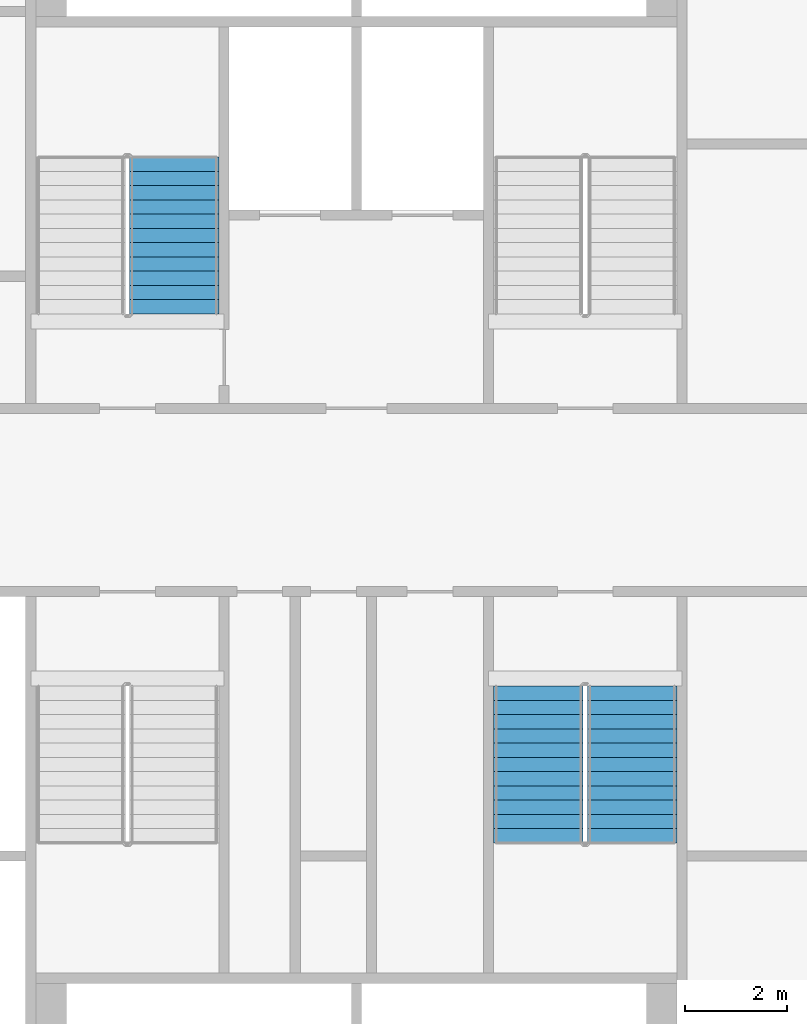
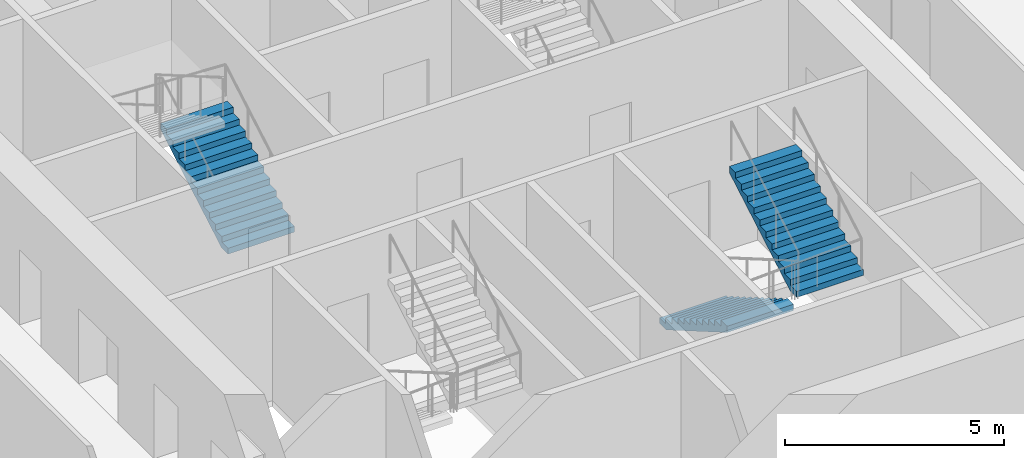
# One storey, part 16 of 23: 3 stair flights, 2 elements without a shape of their own.
"""IFC4 building model written with IfcOpenShell, lengths in metres."""

import ifcopenshell
import ifcopenshell.guid

model = None  # the IFC model being written
_history = None  # IfcOwnerHistory: only IFC2X3 demands one
_inside = {}  # id of a spatial element -> (the spatial element, [elements in it])
_under = {}  # id of a project, library or spatial element -> (it, [spatial elements below it])
_declared = {}  # id of a project -> (the project, [libraries it declares])
_typed = {}  # id of a type object -> (the type object, [elements of that type])
_made_of = {}  # id of a material, layer set ... -> (it, [elements and type objects made of it])


def new_model(schema):
    """Start an empty IFC model of exactly this schema.

    Asked for "IFC4X3", IfcOpenShell would pick the latest addendum, in which some entities
    have other attributes; the version numbers below select the first issue.
    IFC2X3 requires an IfcOwnerHistory on every rooted entity: one is made here for all.
    """
    global model, _history
    if schema == "IFC4X3":
        model = ifcopenshell.file(schema_version=(4, 3, 0, 0))
    else:
        model = ifcopenshell.file(schema=schema)
    _inside.clear()
    _under.clear()
    _declared.clear()
    _typed.clear()
    _made_of.clear()
    _history = None
    if model.schema == "IFC2X3":
        org = make("IfcOrganization", Name="unknown")
        user = make(
            "IfcPersonAndOrganization",
            ThePerson=make("IfcPerson", FamilyName="unknown"),
            TheOrganization=org,
        )
        app = make(
            "IfcApplication",
            ApplicationDeveloper=org,
            Version="unknown",
            ApplicationFullName="unknown",
            ApplicationIdentifier="unknown",
        )
        _history = make(
            "IfcOwnerHistory",
            OwningUser=user,
            OwningApplication=app,
            ChangeAction="ADDED",
            CreationDate=0,
        )
    return model


def make(cls, **values):
    """One entity of the class cls with the attributes given. An attribute that is None is left unset."""
    return model.create_entity(
        cls, **{name: value for name, value in values.items() if value is not None}
    )


def rooted(cls, **values):
    """An entity with a GlobalId (a new one), such as an element, a storey or a relation."""
    return make(cls, GlobalId=ifcopenshell.guid.new(), OwnerHistory=_history, **values)


def si_unit(unit_type, name, prefix=None):
    """IfcSIUnit, for example si_unit("LENGTHUNIT", "METRE", prefix="MILLI")."""
    return make("IfcSIUnit", UnitType=unit_type, Prefix=prefix, Name=name)


def assignment(units):
    """IfcUnitAssignment: the units of a project."""
    return None if units is None else make("IfcUnitAssignment", Units=units)


def point(xyz):
    """IfcCartesianPoint."""
    return None if xyz is None else make("IfcCartesianPoint", Coordinates=xyz)


def direction(xyz):
    """IfcDirection."""
    return None if xyz is None else make("IfcDirection", DirectionRatios=xyz)


def frame(location, z_axis=None, x_axis=None):
    """IfcAxis2Placement3D, a coordinate frame: its origin and axes. An axis left out is left unset."""
    return make(
        "IfcAxis2Placement3D",
        Location=point(location),
        Axis=direction(z_axis),
        RefDirection=direction(x_axis),
    )


def origin():
    """The frame at (0, 0, 0) with its axes left unset."""
    return frame((0.0, 0.0, 0.0))


def place(relative_to, where):
    """IfcLocalPlacement: puts the frame where relative to a parent placement (None: the world)."""
    return make(
        "IfcLocalPlacement", PlacementRelTo=relative_to, RelativePlacement=where
    )


def context(
    kind, dimensions, precision=None, world=None, true_north=None, identifier=None
):
    """IfcGeometricRepresentationContext, for example the 3D "Model" context."""
    return make(
        "IfcGeometricRepresentationContext",
        ContextIdentifier=identifier,
        ContextType=kind,
        CoordinateSpaceDimension=dimensions,
        Precision=precision,
        WorldCoordinateSystem=world,
        TrueNorth=true_north,
    )


def subcontext(parent, identifier, kind, view, scale=None):
    """IfcGeometricRepresentationSubContext, for example "Body" below "Model"."""
    return make(
        "IfcGeometricRepresentationSubContext",
        ContextIdentifier=identifier,
        ContextType=kind,
        ParentContext=parent,
        TargetScale=scale,
        TargetView=view,
    )


def project(units=None, contexts=None):
    """IfcProject with its units and contexts."""
    return rooted(
        "IfcProject",
        Name="project",
        RepresentationContexts=contexts,
        UnitsInContext=assignment(units),
    )


def spatial(cls, under=None, at=None, **own):
    """A site, building, storey or space (cls), placed at a placement, below another one or the project."""
    s = rooted(cls, ObjectPlacement=at, **own)
    if under is not None:
        _under.setdefault(under.id(), (under, []))[1].append(s)
    return s


def faces_of(points, faces, orient=None, outer=None):
    """IfcFace entities. A face is a list of loops; a loop is a list of indices into points, from 0.

    orient and outer hold one flag for each loop. By default every Orientation is true, the
    first loop of a face is its IfcFaceOuterBound and the others are IfcFaceBound.
    """
    made = []
    for i, loops in enumerate(faces):
        bounds = []
        for j, loop in enumerate(loops):
            is_outer = j == 0 if outer is None else outer[i][j]
            bounds.append(
                make(
                    "IfcFaceOuterBound" if is_outer else "IfcFaceBound",
                    Bound=make("IfcPolyLoop", Polygon=[points[k] for k in loop]),
                    Orientation=True if orient is None else orient[i][j],
                )
            )
        made.append(make("IfcFace", Bounds=bounds))
    return made


def faceted_brep(points, faces, orient=None, outer=None, voids=None):
    """IfcFacetedBrep: a solid bounded by flat faces; with voids (closed shells), ...WithVoids."""
    shared = [point(p) for p in points]
    hull = make("IfcClosedShell", CfsFaces=faces_of(shared, faces, orient, outer))
    if voids is None:
        return make("IfcFacetedBrep", Outer=hull)
    return make(
        "IfcFacetedBrepWithVoids",
        Outer=hull,
        Voids=[
            make(cls, CfsFaces=faces_of(shared, fs, o, b)) for cls, fs, o, b in voids
        ],
    )


def shape(context_of_items, identifier, shape_type, items):
    """IfcShapeRepresentation: the items that make up one representation, for example the "Body"."""
    return make(
        "IfcShapeRepresentation",
        ContextOfItems=context_of_items,
        RepresentationIdentifier=identifier,
        RepresentationType=shape_type,
        Items=items,
    )


def material(Name=None, Category=None):
    """IfcMaterial."""
    return make("IfcMaterial", Name=Name, Category=Category)


def made_of(thing, what):
    """Note that an element or type object is made of a material, layer set ...; save() writes the relation."""
    if what is not None:
        _made_of.setdefault(what.id(), (what, []))[1].append(thing)
    return thing


def type_object(cls, material=None, **own):
    """A type object (cls), such as IfcWallType, which elements share."""
    return made_of(rooted(cls, **own), material)


def element(
    cls,
    number,
    at=None,
    inside=None,
    cuts=None,
    type_object=None,
    material=None,
    context=None,
    identifier="Body",
    shape_type=None,
    held_by="IfcProductDefinitionShape",
    body=None,
    shapes=None,
    **own,
):
    """One element of the class cls, such as IfcWall. Its Tag is "e" and its number.

    at: its placement. inside: the storey or other place that contains it. cuts: it is an
    opening in that element (IfcRelVoidsElement). A single representation is given by context,
    identifier, shape_type and body (its items); several are given by shapes. held_by: the class
    of the entity that holds the representations. save() writes the other relations.
    """
    e = rooted(cls, Tag="e%d" % number, ObjectPlacement=at, **own)
    if body is not None:
        shapes = [shape(context, identifier, shape_type, body)]
    if shapes is not None:
        e.Representation = make(held_by, Representations=shapes)
    if inside is not None:
        _inside.setdefault(inside.id(), (inside, []))[1].append(e)
    if cuts is not None:
        rooted(
            "IfcRelVoidsElement", RelatingBuildingElement=cuts, RelatedOpeningElement=e
        )
    if type_object is not None:
        _typed.setdefault(type_object.id(), (type_object, []))[1].append(e)
    return made_of(e, material)


def aggregate(whole, parts):
    """IfcRelAggregates: a whole, such as a stair, and the parts it consists of."""
    return rooted("IfcRelAggregates", RelatingObject=whole, RelatedObjects=parts)


def save(model, path):
    """Write the relations noted so far, then the file.

    IfcRelAggregates (storeys below a building ...), IfcRelContainedInSpatialStructure (elements
    in a storey), IfcRelDefinesByType, IfcRelAssociatesMaterial and IfcRelDeclares: one each for
    every whole, place, type object, material and project.
    """
    for whole, parts in _under.values():
        aggregate(whole, parts)
    for where, things in _inside.values():
        rooted(
            "IfcRelContainedInSpatialStructure",
            RelatedElements=things,
            RelatingStructure=where,
        )
    for kind, things in _typed.values():
        rooted("IfcRelDefinesByType", RelatedObjects=things, RelatingType=kind)
    for what, things in _made_of.values():
        rooted("IfcRelAssociatesMaterial", RelatedObjects=things, RelatingMaterial=what)
    for by, libraries in _declared.values():
        rooted("IfcRelDeclares", RelatingContext=by, RelatedDefinitions=libraries)
    model.write(path)


model = new_model("IFC4")

# Units and contexts
model_context = context("Model", 3, precision=1e-05, world=origin(), true_north=direction((0.0, 1.0)))
body_context = subcontext(model_context, "Body", "Model", "MODEL_VIEW")
ifc_project = project(units=[si_unit("LENGTHUNIT", "METRE"), si_unit("AREAUNIT", "SQUARE_METRE"), si_unit("VOLUMEUNIT", "CUBIC_METRE"), si_unit("PLANEANGLEUNIT", "RADIAN"), si_unit("MASSUNIT", "GRAM", prefix="KILO")], contexts=[model_context])

# Site, building, storey
site_placement = place(None, origin())
site = spatial("IfcSite", under=ifc_project, at=site_placement, CompositionType="ELEMENT")
building_placement = place(site_placement, origin())
building = spatial("IfcBuilding", under=site, at=building_placement, Name="Tarsis Ring Headquarters", CompositionType="ELEMENT")
storey_placement = place(building_placement, frame((0.0, 0.0, 131.800048828125)))
storey = spatial("IfcBuildingStorey", under=building, at=storey_placement, Name="L30", CompositionType="ELEMENT", Elevation=131.800048828125)

# Stair, stair flight
ifc_material_1 = material(Name="Core stair 1760")
stair_type = type_object("IfcStairType", Name="Core stair 1760", PredefinedType="HALF_TURN_STAIR", material=ifc_material_1)
stair_1_placement = place(storey_placement, origin())
stair_1 = element("IfcStair", 1, at=stair_1_placement, inside=storey, type_object=stair_type, Name="L30 Firefighting stair", PredefinedType="HALF_TURN_STAIR")
ifc_material_2 = material(Name="Concrete C40/50", Category="concrete")
stair_flight_type = type_object("IfcStairFlightType", Name="Core stair flight 1760", PredefinedType="STRAIGHT", material=ifc_material_2)
stair_flight_1_placement = place(storey_placement, frame((-3.580078125, 3.659912109375, 0.0), z_axis=(0.0, 0.0, 1.0), x_axis=(0.0, 1.0, 0.0)))
stair_flight_1 = element("IfcStairFlight", 2, at=stair_flight_1_placement, type_object=stair_flight_type, Name="Stair ST1 flight 1", NumberOfRisers=12, NumberOfTreads=11, PredefinedType="STRAIGHT", RiserHeight=0.1625, TreadLength=0.28, context=body_context, shape_type="Brep", body=[
    faceted_brep([(0.0, 0.8798828125, 0.0), (0.0, 0.8798828125, 0.16259765625), (0.280029296875, 0.8798828125, 0.16259765625), (0.280029296875, 0.8798828125, 0.324951171875), (0.56005859375, 0.8798828125, 0.324951171875), (0.56005859375, 0.8798828125, 0.487548828125), (0.840087890625, 0.8798828125, 0.487548828125), (0.840087890625, 0.8798828125, 0.64990234375), (1.1201171875, 0.8798828125, 0.64990234375), (1.1201171875, 0.8798828125, 0.8125), (1.39990234375, 0.8798828125, 0.8125), (1.39990234375, 0.8798828125, 0.97509765625), (1.679931640625, 0.8798828125, 0.97509765625), (1.679931640625, 0.8798828125, 1.137451171875), (1.9599609375, 0.8798828125, 1.137451171875), (1.9599609375, 0.8798828125, 1.300048828125), (2.239990234375, 0.8798828125, 1.300048828125), (2.239990234375, 0.8798828125, 1.46240234375), (2.52001953125, 0.8798828125, 1.46240234375), (2.52001953125, 0.8798828125, 1.625), (2.800048828125, 0.8798828125, 1.625), (2.800048828125, 0.8798828125, 1.78759765625), (3.080078125, 0.8798828125, 1.78759765625), (3.080078125, 0.8798828125, 1.6142578125), (0.298583984375, 0.8798828125, 0.0), (0.298583984375, -0.8798828125, 0.0), (3.080078125, -0.8798828125, 1.6142578125), (3.080078125, -0.8798828125, 1.78759765625), (2.800048828125, -0.8798828125, 1.78759765625), (2.800048828125, -0.8798828125, 1.625), (2.52001953125, -0.8798828125, 1.625), (2.52001953125, -0.8798828125, 1.46240234375), (2.239990234375, -0.8798828125, 1.46240234375), (2.239990234375, -0.8798828125, 1.300048828125), (1.9599609375, -0.8798828125, 1.300048828125), (1.9599609375, -0.8798828125, 1.137451171875), (1.679931640625, -0.8798828125, 1.137451171875), (1.679931640625, -0.8798828125, 0.97509765625), (1.39990234375, -0.8798828125, 0.97509765625), (1.39990234375, -0.8798828125, 0.8125), (1.1201171875, -0.8798828125, 0.8125), (1.1201171875, -0.8798828125, 0.64990234375), (0.840087890625, -0.8798828125, 0.64990234375), (0.840087890625, -0.8798828125, 0.487548828125), (0.56005859375, -0.8798828125, 0.487548828125), (0.56005859375, -0.8798828125, 0.324951171875), (0.280029296875, -0.8798828125, 0.324951171875), (0.280029296875, -0.8798828125, 0.16259765625), (0.0, -0.8798828125, 0.16259765625), (0.0, -0.8798828125, 0.0), (0.0, -0.43994140625, 0.16259765625), (0.0, -0.43994140625, 0.0), (0.0, 0.0, 0.16259765625), (0.0, 0.0, 0.0), (0.0, 0.43994140625, 0.16259765625), (0.0, 0.43994140625, 0.0), (0.280029296875, -0.43994140625, 0.16259765625), (0.280029296875, 0.0, 0.16259765625), (0.280029296875, 0.43994140625, 0.16259765625), (0.280029296875, -0.43994140625, 0.324951171875), (0.280029296875, 0.0, 0.324951171875), (0.280029296875, 0.43994140625, 0.324951171875), (0.56005859375, -0.43994140625, 0.324951171875), (0.56005859375, 0.0, 0.324951171875), (0.56005859375, 0.43994140625, 0.324951171875), (0.56005859375, -0.43994140625, 0.487548828125), (0.56005859375, 0.0, 0.487548828125), (0.56005859375, 0.43994140625, 0.487548828125), (0.840087890625, -0.43994140625, 0.487548828125), (0.840087890625, 0.0, 0.487548828125), (0.840087890625, 0.43994140625, 0.487548828125), (0.840087890625, -0.43994140625, 0.64990234375), (0.840087890625, 0.0, 0.64990234375), (0.840087890625, 0.43994140625, 0.64990234375), (1.1201171875, -0.43994140625, 0.64990234375), (1.1201171875, 0.0, 0.64990234375), (1.1201171875, 0.43994140625, 0.64990234375), (1.1201171875, -0.43994140625, 0.8125), (1.1201171875, 0.0, 0.8125), (1.1201171875, 0.43994140625, 0.8125), (1.39990234375, -0.43994140625, 0.8125), (1.39990234375, 0.0, 0.8125), (1.39990234375, 0.43994140625, 0.8125), (1.39990234375, -0.43994140625, 0.97509765625), (1.39990234375, 0.0, 0.97509765625), (1.39990234375, 0.43994140625, 0.97509765625), (1.679931640625, -0.43994140625, 0.97509765625), (1.679931640625, 0.0, 0.97509765625), (1.679931640625, 0.43994140625, 0.97509765625), (1.679931640625, -0.43994140625, 1.137451171875), (1.679931640625, 0.0, 1.137451171875), (1.679931640625, 0.43994140625, 1.137451171875), (1.9599609375, -0.43994140625, 1.137451171875), (1.9599609375, 0.0, 1.137451171875), (1.9599609375, 0.43994140625, 1.137451171875), (1.9599609375, -0.43994140625, 1.300048828125), (1.9599609375, 0.0, 1.300048828125), (1.9599609375, 0.43994140625, 1.300048828125), (2.239990234375, -0.43994140625, 1.300048828125), (2.239990234375, 0.0, 1.300048828125), (2.239990234375, 0.43994140625, 1.300048828125), (2.239990234375, -0.43994140625, 1.46240234375), (2.239990234375, 0.0, 1.46240234375), (2.239990234375, 0.43994140625, 1.46240234375), (2.52001953125, -0.43994140625, 1.46240234375), (2.52001953125, 0.0, 1.46240234375), (2.52001953125, 0.43994140625, 1.46240234375), (2.52001953125, -0.43994140625, 1.625), (2.52001953125, 0.0, 1.625), (2.52001953125, 0.43994140625, 1.625), (2.800048828125, -0.43994140625, 1.625), (2.800048828125, 0.0, 1.625), (2.800048828125, 0.43994140625, 1.625), (2.800048828125, -0.43994140625, 1.78759765625), (2.800048828125, 0.0, 1.78759765625), (2.800048828125, 0.43994140625, 1.78759765625), (3.080078125, -0.43994140625, 1.78759765625), (3.080078125, 0.0, 1.78759765625), (3.080078125, 0.43994140625, 1.78759765625), (3.080078125, -0.43994140625, 1.6142578125), (3.080078125, 0.0, 1.6142578125), (3.080078125, 0.43994140625, 1.6142578125), (0.298583984375, -0.43994140625, 0.0), (0.298583984375, 0.0, 0.0), (0.298583984375, 0.43994140625, 0.0)], [[[0, 1, 2, 3, 4, 5, 6, 7, 8, 9, 10, 11, 12, 13, 14, 15, 16, 17, 18, 19, 20, 21, 22, 23, 24]], [[25, 26, 27, 28, 29, 30, 31, 32, 33, 34, 35, 36, 37, 38, 39, 40, 41, 42, 43, 44, 45, 46, 47, 48, 49]], [[49, 48, 50, 51]], [[51, 50, 52, 53]], [[53, 52, 54, 55]], [[55, 54, 1, 0]], [[48, 47, 56, 50]], [[50, 56, 57, 52]], [[52, 57, 58, 54]], [[54, 58, 2, 1]], [[47, 46, 59, 56]], [[56, 59, 60, 57]], [[57, 60, 61, 58]], [[58, 61, 3, 2]], [[46, 45, 62, 59]], [[59, 62, 63, 60]], [[60, 63, 64, 61]], [[61, 64, 4, 3]], [[45, 44, 65, 62]], [[62, 65, 66, 63]], [[63, 66, 67, 64]], [[64, 67, 5, 4]], [[44, 43, 68, 65]], [[65, 68, 69, 66]], [[66, 69, 70, 67]], [[67, 70, 6, 5]], [[43, 42, 71, 68]], [[68, 71, 72, 69]], [[69, 72, 73, 70]], [[70, 73, 7, 6]], [[42, 41, 74, 71]], [[71, 74, 75, 72]], [[72, 75, 76, 73]], [[73, 76, 8, 7]], [[41, 40, 77, 74]], [[74, 77, 78, 75]], [[75, 78, 79, 76]], [[76, 79, 9, 8]], [[40, 39, 80, 77]], [[77, 80, 81, 78]], [[78, 81, 82, 79]], [[79, 82, 10, 9]], [[39, 38, 83, 80]], [[80, 83, 84, 81]], [[81, 84, 85, 82]], [[82, 85, 11, 10]], [[38, 37, 86, 83]], [[83, 86, 87, 84]], [[84, 87, 88, 85]], [[85, 88, 12, 11]], [[37, 36, 89, 86]], [[86, 89, 90, 87]], [[87, 90, 91, 88]], [[88, 91, 13, 12]], [[36, 35, 92, 89]], [[89, 92, 93, 90]], [[90, 93, 94, 91]], [[91, 94, 14, 13]], [[35, 34, 95, 92]], [[92, 95, 96, 93]], [[93, 96, 97, 94]], [[94, 97, 15, 14]], [[34, 33, 98, 95]], [[95, 98, 99, 96]], [[96, 99, 100, 97]], [[97, 100, 16, 15]], [[33, 32, 101, 98]], [[98, 101, 102, 99]], [[99, 102, 103, 100]], [[100, 103, 17, 16]], [[32, 31, 104, 101]], [[101, 104, 105, 102]], [[102, 105, 106, 103]], [[103, 106, 18, 17]], [[31, 30, 107, 104]], [[104, 107, 108, 105]], [[105, 108, 109, 106]], [[106, 109, 19, 18]], [[30, 29, 110, 107]], [[107, 110, 111, 108]], [[108, 111, 112, 109]], [[109, 112, 20, 19]], [[29, 28, 113, 110]], [[110, 113, 114, 111]], [[111, 114, 115, 112]], [[112, 115, 21, 20]], [[28, 27, 116, 113]], [[113, 116, 117, 114]], [[114, 117, 118, 115]], [[115, 118, 22, 21]], [[27, 26, 119, 116]], [[116, 119, 120, 117]], [[117, 120, 121, 118]], [[118, 121, 23, 22]], [[26, 25, 122, 119]], [[119, 122, 123, 120]], [[120, 123, 124, 121]], [[121, 124, 24, 23]], [[25, 49, 51, 122]], [[122, 51, 53, 123]], [[123, 53, 55, 124]], [[124, 55, 0, 24]]]),
])
aggregate(stair_1, [stair_flight_1])

# Stair, stair flights
stair_2_placement = place(storey_placement, origin())
stair_2 = element("IfcStair", 3, at=stair_2_placement, inside=storey, type_object=stair_type, Name="L30 Exit stair D", PredefinedType="HALF_TURN_STAIR")
stair_flight_2_placement = place(storey_placement, frame((3.580078125, -3.659912109375, 0.0), z_axis=(0.0, 0.0, 1.0), x_axis=(0.0, -1.0, 0.0)))
stair_flight_2 = element("IfcStairFlight", 4, at=stair_flight_2_placement, type_object=stair_flight_type, Name="Stair ST4 flight 1", NumberOfRisers=12, NumberOfTreads=11, PredefinedType="STRAIGHT", RiserHeight=0.1625, TreadLength=0.28, context=body_context, shape_type="Brep", body=[
    faceted_brep([(0.0, 0.8798828125, 0.0), (0.0, 0.8798828125, 0.16259765625), (0.280029296875, 0.8798828125, 0.16259765625), (0.280029296875, 0.8798828125, 0.324951171875), (0.56005859375, 0.8798828125, 0.324951171875), (0.56005859375, 0.8798828125, 0.487548828125), (0.840087890625, 0.8798828125, 0.487548828125), (0.840087890625, 0.8798828125, 0.64990234375), (1.1201171875, 0.8798828125, 0.64990234375), (1.1201171875, 0.8798828125, 0.8125), (1.39990234375, 0.8798828125, 0.8125), (1.39990234375, 0.8798828125, 0.97509765625), (1.679931640625, 0.8798828125, 0.97509765625), (1.679931640625, 0.8798828125, 1.137451171875), (1.9599609375, 0.8798828125, 1.137451171875), (1.9599609375, 0.8798828125, 1.300048828125), (2.239990234375, 0.8798828125, 1.300048828125), (2.239990234375, 0.8798828125, 1.46240234375), (2.52001953125, 0.8798828125, 1.46240234375), (2.52001953125, 0.8798828125, 1.625), (2.800048828125, 0.8798828125, 1.625), (2.800048828125, 0.8798828125, 1.78759765625), (3.080078125, 0.8798828125, 1.78759765625), (3.080078125, 0.8798828125, 1.6142578125), (0.298583984375, 0.8798828125, 0.0), (0.298583984375, -0.8798828125, 0.0), (3.080078125, -0.8798828125, 1.6142578125), (3.080078125, -0.8798828125, 1.78759765625), (2.800048828125, -0.8798828125, 1.78759765625), (2.800048828125, -0.8798828125, 1.625), (2.52001953125, -0.8798828125, 1.625), (2.52001953125, -0.8798828125, 1.46240234375), (2.239990234375, -0.8798828125, 1.46240234375), (2.239990234375, -0.8798828125, 1.300048828125), (1.9599609375, -0.8798828125, 1.300048828125), (1.9599609375, -0.8798828125, 1.137451171875), (1.679931640625, -0.8798828125, 1.137451171875), (1.679931640625, -0.8798828125, 0.97509765625), (1.39990234375, -0.8798828125, 0.97509765625), (1.39990234375, -0.8798828125, 0.8125), (1.1201171875, -0.8798828125, 0.8125), (1.1201171875, -0.8798828125, 0.64990234375), (0.840087890625, -0.8798828125, 0.64990234375), (0.840087890625, -0.8798828125, 0.487548828125), (0.56005859375, -0.8798828125, 0.487548828125), (0.56005859375, -0.8798828125, 0.324951171875), (0.280029296875, -0.8798828125, 0.324951171875), (0.280029296875, -0.8798828125, 0.16259765625), (0.0, -0.8798828125, 0.16259765625), (0.0, -0.8798828125, 0.0), (0.0, -0.43994140625, 0.16259765625), (0.0, -0.43994140625, 0.0), (0.0, 0.0, 0.16259765625), (0.0, 0.0, 0.0), (0.0, 0.43994140625, 0.16259765625), (0.0, 0.43994140625, 0.0), (0.280029296875, -0.43994140625, 0.16259765625), (0.280029296875, 0.0, 0.16259765625), (0.280029296875, 0.43994140625, 0.16259765625), (0.280029296875, -0.43994140625, 0.324951171875), (0.280029296875, 0.0, 0.324951171875), (0.280029296875, 0.43994140625, 0.324951171875), (0.56005859375, -0.43994140625, 0.324951171875), (0.56005859375, 0.0, 0.324951171875), (0.56005859375, 0.43994140625, 0.324951171875), (0.56005859375, -0.43994140625, 0.487548828125), (0.56005859375, 0.0, 0.487548828125), (0.56005859375, 0.43994140625, 0.487548828125), (0.840087890625, -0.43994140625, 0.487548828125), (0.840087890625, 0.0, 0.487548828125), (0.840087890625, 0.43994140625, 0.487548828125), (0.840087890625, -0.43994140625, 0.64990234375), (0.840087890625, 0.0, 0.64990234375), (0.840087890625, 0.43994140625, 0.64990234375), (1.1201171875, -0.43994140625, 0.64990234375), (1.1201171875, 0.0, 0.64990234375), (1.1201171875, 0.43994140625, 0.64990234375), (1.1201171875, -0.43994140625, 0.8125), (1.1201171875, 0.0, 0.8125), (1.1201171875, 0.43994140625, 0.8125), (1.39990234375, -0.43994140625, 0.8125), (1.39990234375, 0.0, 0.8125), (1.39990234375, 0.43994140625, 0.8125), (1.39990234375, -0.43994140625, 0.97509765625), (1.39990234375, 0.0, 0.97509765625), (1.39990234375, 0.43994140625, 0.97509765625), (1.679931640625, -0.43994140625, 0.97509765625), (1.679931640625, 0.0, 0.97509765625), (1.679931640625, 0.43994140625, 0.97509765625), (1.679931640625, -0.43994140625, 1.137451171875), (1.679931640625, 0.0, 1.137451171875), (1.679931640625, 0.43994140625, 1.137451171875), (1.9599609375, -0.43994140625, 1.137451171875), (1.9599609375, 0.0, 1.137451171875), (1.9599609375, 0.43994140625, 1.137451171875), (1.9599609375, -0.43994140625, 1.300048828125), (1.9599609375, 0.0, 1.300048828125), (1.9599609375, 0.43994140625, 1.300048828125), (2.239990234375, -0.43994140625, 1.300048828125), (2.239990234375, 0.0, 1.300048828125), (2.239990234375, 0.43994140625, 1.300048828125), (2.239990234375, -0.43994140625, 1.46240234375), (2.239990234375, 0.0, 1.46240234375), (2.239990234375, 0.43994140625, 1.46240234375), (2.52001953125, -0.43994140625, 1.46240234375), (2.52001953125, 0.0, 1.46240234375), (2.52001953125, 0.43994140625, 1.46240234375), (2.52001953125, -0.43994140625, 1.625), (2.52001953125, 0.0, 1.625), (2.52001953125, 0.43994140625, 1.625), (2.800048828125, -0.43994140625, 1.625), (2.800048828125, 0.0, 1.625), (2.800048828125, 0.43994140625, 1.625), (2.800048828125, -0.43994140625, 1.78759765625), (2.800048828125, 0.0, 1.78759765625), (2.800048828125, 0.43994140625, 1.78759765625), (3.080078125, -0.43994140625, 1.78759765625), (3.080078125, 0.0, 1.78759765625), (3.080078125, 0.43994140625, 1.78759765625), (3.080078125, -0.43994140625, 1.6142578125), (3.080078125, 0.0, 1.6142578125), (3.080078125, 0.43994140625, 1.6142578125), (0.298583984375, -0.43994140625, 0.0), (0.298583984375, 0.0, 0.0), (0.298583984375, 0.43994140625, 0.0)], [[[0, 1, 2, 3, 4, 5, 6, 7, 8, 9, 10, 11, 12, 13, 14, 15, 16, 17, 18, 19, 20, 21, 22, 23, 24]], [[25, 26, 27, 28, 29, 30, 31, 32, 33, 34, 35, 36, 37, 38, 39, 40, 41, 42, 43, 44, 45, 46, 47, 48, 49]], [[49, 48, 50, 51]], [[51, 50, 52, 53]], [[53, 52, 54, 55]], [[55, 54, 1, 0]], [[48, 47, 56, 50]], [[50, 56, 57, 52]], [[52, 57, 58, 54]], [[54, 58, 2, 1]], [[47, 46, 59, 56]], [[56, 59, 60, 57]], [[57, 60, 61, 58]], [[58, 61, 3, 2]], [[46, 45, 62, 59]], [[59, 62, 63, 60]], [[60, 63, 64, 61]], [[61, 64, 4, 3]], [[45, 44, 65, 62]], [[62, 65, 66, 63]], [[63, 66, 67, 64]], [[64, 67, 5, 4]], [[44, 43, 68, 65]], [[65, 68, 69, 66]], [[66, 69, 70, 67]], [[67, 70, 6, 5]], [[43, 42, 71, 68]], [[68, 71, 72, 69]], [[69, 72, 73, 70]], [[70, 73, 7, 6]], [[42, 41, 74, 71]], [[71, 74, 75, 72]], [[72, 75, 76, 73]], [[73, 76, 8, 7]], [[41, 40, 77, 74]], [[74, 77, 78, 75]], [[75, 78, 79, 76]], [[76, 79, 9, 8]], [[40, 39, 80, 77]], [[77, 80, 81, 78]], [[78, 81, 82, 79]], [[79, 82, 10, 9]], [[39, 38, 83, 80]], [[80, 83, 84, 81]], [[81, 84, 85, 82]], [[82, 85, 11, 10]], [[38, 37, 86, 83]], [[83, 86, 87, 84]], [[84, 87, 88, 85]], [[85, 88, 12, 11]], [[37, 36, 89, 86]], [[86, 89, 90, 87]], [[87, 90, 91, 88]], [[88, 91, 13, 12]], [[36, 35, 92, 89]], [[89, 92, 93, 90]], [[90, 93, 94, 91]], [[91, 94, 14, 13]], [[35, 34, 95, 92]], [[92, 95, 96, 93]], [[93, 96, 97, 94]], [[94, 97, 15, 14]], [[34, 33, 98, 95]], [[95, 98, 99, 96]], [[96, 99, 100, 97]], [[97, 100, 16, 15]], [[33, 32, 101, 98]], [[98, 101, 102, 99]], [[99, 102, 103, 100]], [[100, 103, 17, 16]], [[32, 31, 104, 101]], [[101, 104, 105, 102]], [[102, 105, 106, 103]], [[103, 106, 18, 17]], [[31, 30, 107, 104]], [[104, 107, 108, 105]], [[105, 108, 109, 106]], [[106, 109, 19, 18]], [[30, 29, 110, 107]], [[107, 110, 111, 108]], [[108, 111, 112, 109]], [[109, 112, 20, 19]], [[29, 28, 113, 110]], [[110, 113, 114, 111]], [[111, 114, 115, 112]], [[112, 115, 21, 20]], [[28, 27, 116, 113]], [[113, 116, 117, 114]], [[114, 117, 118, 115]], [[115, 118, 22, 21]], [[27, 26, 119, 116]], [[116, 119, 120, 117]], [[117, 120, 121, 118]], [[118, 121, 23, 22]], [[26, 25, 122, 119]], [[119, 122, 123, 120]], [[120, 123, 124, 121]], [[121, 124, 24, 23]], [[25, 49, 51, 122]], [[122, 51, 53, 123]], [[123, 53, 55, 124]], [[124, 55, 0, 24]]]),
])
stair_flight_3_placement = place(storey_placement, frame((5.419921875, -6.739990234375, 1.949951171875), z_axis=(0.0, 0.0, 1.0), x_axis=(0.0, 1.0, 0.0)))
stair_flight_3 = element("IfcStairFlight", 5, at=stair_flight_3_placement, type_object=stair_flight_type, Name="Stair ST4 flight 2", NumberOfRisers=12, NumberOfTreads=11, PredefinedType="STRAIGHT", RiserHeight=0.1625, TreadLength=0.28, context=body_context, shape_type="Brep", body=[
    faceted_brep([(0.0, 0.8798828125, 0.0), (0.0, 0.8798828125, 0.16259765625), (0.280029296875, 0.8798828125, 0.16259765625), (0.280029296875, 0.8798828125, 0.324951171875), (0.56005859375, 0.8798828125, 0.324951171875), (0.56005859375, 0.8798828125, 0.487548828125), (0.840087890625, 0.8798828125, 0.487548828125), (0.840087890625, 0.8798828125, 0.64990234375), (1.1201171875, 0.8798828125, 0.64990234375), (1.1201171875, 0.8798828125, 0.8125), (1.39990234375, 0.8798828125, 0.8125), (1.39990234375, 0.8798828125, 0.97509765625), (1.679931640625, 0.8798828125, 0.97509765625), (1.679931640625, 0.8798828125, 1.137451171875), (1.9599609375, 0.8798828125, 1.137451171875), (1.9599609375, 0.8798828125, 1.300048828125), (2.239990234375, 0.8798828125, 1.300048828125), (2.239990234375, 0.8798828125, 1.46240234375), (2.52001953125, 0.8798828125, 1.46240234375), (2.52001953125, 0.8798828125, 1.625), (2.800048828125, 0.8798828125, 1.625), (2.800048828125, 0.8798828125, 1.78759765625), (3.080078125, 0.8798828125, 1.78759765625), (3.080078125, 0.8798828125, 1.6142578125), (0.298583984375, 0.8798828125, 0.0), (0.298583984375, -0.8798828125, 0.0), (3.080078125, -0.8798828125, 1.6142578125), (3.080078125, -0.8798828125, 1.78759765625), (2.800048828125, -0.8798828125, 1.78759765625), (2.800048828125, -0.8798828125, 1.625), (2.52001953125, -0.8798828125, 1.625), (2.52001953125, -0.8798828125, 1.46240234375), (2.239990234375, -0.8798828125, 1.46240234375), (2.239990234375, -0.8798828125, 1.300048828125), (1.9599609375, -0.8798828125, 1.300048828125), (1.9599609375, -0.8798828125, 1.137451171875), (1.679931640625, -0.8798828125, 1.137451171875), (1.679931640625, -0.8798828125, 0.97509765625), (1.39990234375, -0.8798828125, 0.97509765625), (1.39990234375, -0.8798828125, 0.8125), (1.1201171875, -0.8798828125, 0.8125), (1.1201171875, -0.8798828125, 0.64990234375), (0.840087890625, -0.8798828125, 0.64990234375), (0.840087890625, -0.8798828125, 0.487548828125), (0.56005859375, -0.8798828125, 0.487548828125), (0.56005859375, -0.8798828125, 0.324951171875), (0.280029296875, -0.8798828125, 0.324951171875), (0.280029296875, -0.8798828125, 0.16259765625), (0.0, -0.8798828125, 0.16259765625), (0.0, -0.8798828125, 0.0), (0.0, -0.43994140625, 0.16259765625), (0.0, -0.43994140625, 0.0), (0.0, 0.0, 0.16259765625), (0.0, 0.0, 0.0), (0.0, 0.43994140625, 0.16259765625), (0.0, 0.43994140625, 0.0), (0.280029296875, -0.43994140625, 0.16259765625), (0.280029296875, 0.0, 0.16259765625), (0.280029296875, 0.43994140625, 0.16259765625), (0.280029296875, -0.43994140625, 0.324951171875), (0.280029296875, 0.0, 0.324951171875), (0.280029296875, 0.43994140625, 0.324951171875), (0.56005859375, -0.43994140625, 0.324951171875), (0.56005859375, 0.0, 0.324951171875), (0.56005859375, 0.43994140625, 0.324951171875), (0.56005859375, -0.43994140625, 0.487548828125), (0.56005859375, 0.0, 0.487548828125), (0.56005859375, 0.43994140625, 0.487548828125), (0.840087890625, -0.43994140625, 0.487548828125), (0.840087890625, 0.0, 0.487548828125), (0.840087890625, 0.43994140625, 0.487548828125), (0.840087890625, -0.43994140625, 0.64990234375), (0.840087890625, 0.0, 0.64990234375), (0.840087890625, 0.43994140625, 0.64990234375), (1.1201171875, -0.43994140625, 0.64990234375), (1.1201171875, 0.0, 0.64990234375), (1.1201171875, 0.43994140625, 0.64990234375), (1.1201171875, -0.43994140625, 0.8125), (1.1201171875, 0.0, 0.8125), (1.1201171875, 0.43994140625, 0.8125), (1.39990234375, -0.43994140625, 0.8125), (1.39990234375, 0.0, 0.8125), (1.39990234375, 0.43994140625, 0.8125), (1.39990234375, -0.43994140625, 0.97509765625), (1.39990234375, 0.0, 0.97509765625), (1.39990234375, 0.43994140625, 0.97509765625), (1.679931640625, -0.43994140625, 0.97509765625), (1.679931640625, 0.0, 0.97509765625), (1.679931640625, 0.43994140625, 0.97509765625), (1.679931640625, -0.43994140625, 1.137451171875), (1.679931640625, 0.0, 1.137451171875), (1.679931640625, 0.43994140625, 1.137451171875), (1.9599609375, -0.43994140625, 1.137451171875), (1.9599609375, 0.0, 1.137451171875), (1.9599609375, 0.43994140625, 1.137451171875), (1.9599609375, -0.43994140625, 1.300048828125), (1.9599609375, 0.0, 1.300048828125), (1.9599609375, 0.43994140625, 1.300048828125), (2.239990234375, -0.43994140625, 1.300048828125), (2.239990234375, 0.0, 1.300048828125), (2.239990234375, 0.43994140625, 1.300048828125), (2.239990234375, -0.43994140625, 1.46240234375), (2.239990234375, 0.0, 1.46240234375), (2.239990234375, 0.43994140625, 1.46240234375), (2.52001953125, -0.43994140625, 1.46240234375), (2.52001953125, 0.0, 1.46240234375), (2.52001953125, 0.43994140625, 1.46240234375), (2.52001953125, -0.43994140625, 1.625), (2.52001953125, 0.0, 1.625), (2.52001953125, 0.43994140625, 1.625), (2.800048828125, -0.43994140625, 1.625), (2.800048828125, 0.0, 1.625), (2.800048828125, 0.43994140625, 1.625), (2.800048828125, -0.43994140625, 1.78759765625), (2.800048828125, 0.0, 1.78759765625), (2.800048828125, 0.43994140625, 1.78759765625), (3.080078125, -0.43994140625, 1.78759765625), (3.080078125, 0.0, 1.78759765625), (3.080078125, 0.43994140625, 1.78759765625), (3.080078125, -0.43994140625, 1.6142578125), (3.080078125, 0.0, 1.6142578125), (3.080078125, 0.43994140625, 1.6142578125), (0.298583984375, -0.43994140625, 0.0), (0.298583984375, 0.0, 0.0), (0.298583984375, 0.43994140625, 0.0)], [[[0, 1, 2, 3, 4, 5, 6, 7, 8, 9, 10, 11, 12, 13, 14, 15, 16, 17, 18, 19, 20, 21, 22, 23, 24]], [[25, 26, 27, 28, 29, 30, 31, 32, 33, 34, 35, 36, 37, 38, 39, 40, 41, 42, 43, 44, 45, 46, 47, 48, 49]], [[49, 48, 50, 51]], [[51, 50, 52, 53]], [[53, 52, 54, 55]], [[55, 54, 1, 0]], [[48, 47, 56, 50]], [[50, 56, 57, 52]], [[52, 57, 58, 54]], [[54, 58, 2, 1]], [[47, 46, 59, 56]], [[56, 59, 60, 57]], [[57, 60, 61, 58]], [[58, 61, 3, 2]], [[46, 45, 62, 59]], [[59, 62, 63, 60]], [[60, 63, 64, 61]], [[61, 64, 4, 3]], [[45, 44, 65, 62]], [[62, 65, 66, 63]], [[63, 66, 67, 64]], [[64, 67, 5, 4]], [[44, 43, 68, 65]], [[65, 68, 69, 66]], [[66, 69, 70, 67]], [[67, 70, 6, 5]], [[43, 42, 71, 68]], [[68, 71, 72, 69]], [[69, 72, 73, 70]], [[70, 73, 7, 6]], [[42, 41, 74, 71]], [[71, 74, 75, 72]], [[72, 75, 76, 73]], [[73, 76, 8, 7]], [[41, 40, 77, 74]], [[74, 77, 78, 75]], [[75, 78, 79, 76]], [[76, 79, 9, 8]], [[40, 39, 80, 77]], [[77, 80, 81, 78]], [[78, 81, 82, 79]], [[79, 82, 10, 9]], [[39, 38, 83, 80]], [[80, 83, 84, 81]], [[81, 84, 85, 82]], [[82, 85, 11, 10]], [[38, 37, 86, 83]], [[83, 86, 87, 84]], [[84, 87, 88, 85]], [[85, 88, 12, 11]], [[37, 36, 89, 86]], [[86, 89, 90, 87]], [[87, 90, 91, 88]], [[88, 91, 13, 12]], [[36, 35, 92, 89]], [[89, 92, 93, 90]], [[90, 93, 94, 91]], [[91, 94, 14, 13]], [[35, 34, 95, 92]], [[92, 95, 96, 93]], [[93, 96, 97, 94]], [[94, 97, 15, 14]], [[34, 33, 98, 95]], [[95, 98, 99, 96]], [[96, 99, 100, 97]], [[97, 100, 16, 15]], [[33, 32, 101, 98]], [[98, 101, 102, 99]], [[99, 102, 103, 100]], [[100, 103, 17, 16]], [[32, 31, 104, 101]], [[101, 104, 105, 102]], [[102, 105, 106, 103]], [[103, 106, 18, 17]], [[31, 30, 107, 104]], [[104, 107, 108, 105]], [[105, 108, 109, 106]], [[106, 109, 19, 18]], [[30, 29, 110, 107]], [[107, 110, 111, 108]], [[108, 111, 112, 109]], [[109, 112, 20, 19]], [[29, 28, 113, 110]], [[110, 113, 114, 111]], [[111, 114, 115, 112]], [[112, 115, 21, 20]], [[28, 27, 116, 113]], [[113, 116, 117, 114]], [[114, 117, 118, 115]], [[115, 118, 22, 21]], [[27, 26, 119, 116]], [[116, 119, 120, 117]], [[117, 120, 121, 118]], [[118, 121, 23, 22]], [[26, 25, 122, 119]], [[119, 122, 123, 120]], [[120, 123, 124, 121]], [[121, 124, 24, 23]], [[25, 49, 51, 122]], [[122, 51, 53, 123]], [[123, 53, 55, 124]], [[124, 55, 0, 24]]]),
])
aggregate(stair_2, [stair_flight_2, stair_flight_3])

save(model, "model.ifc")
